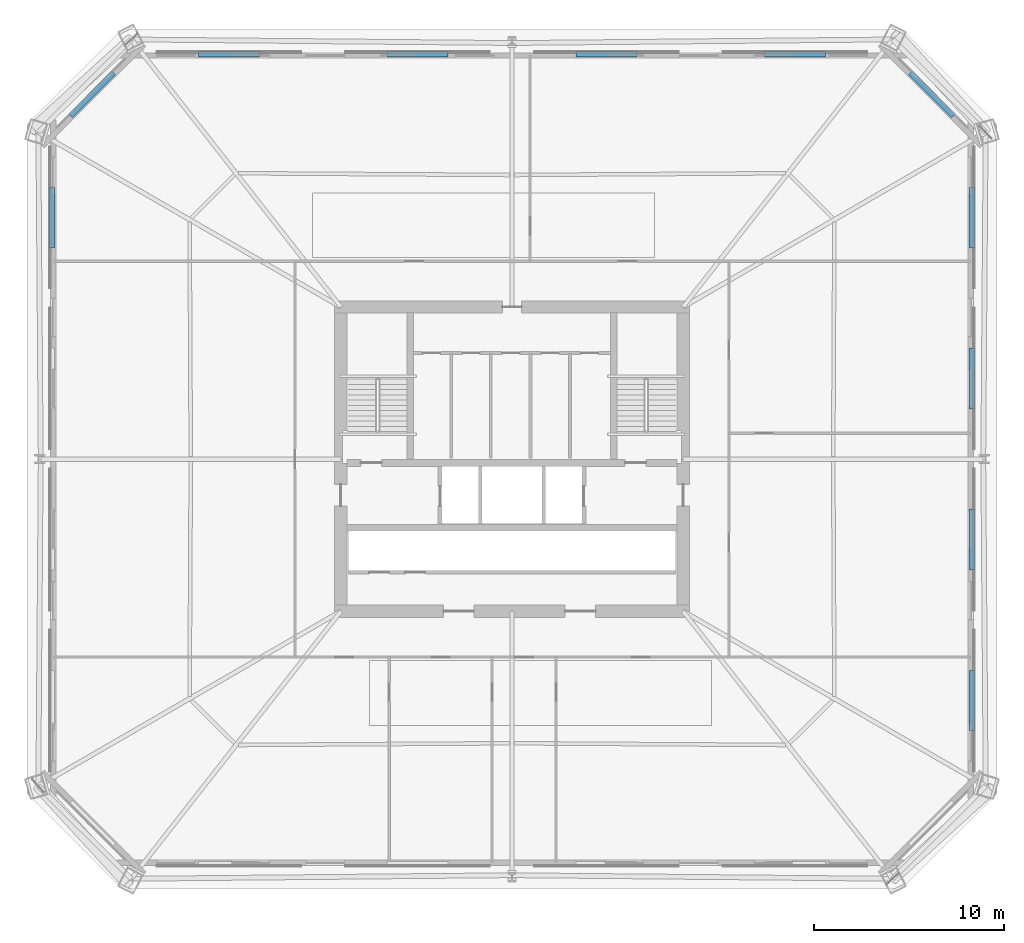
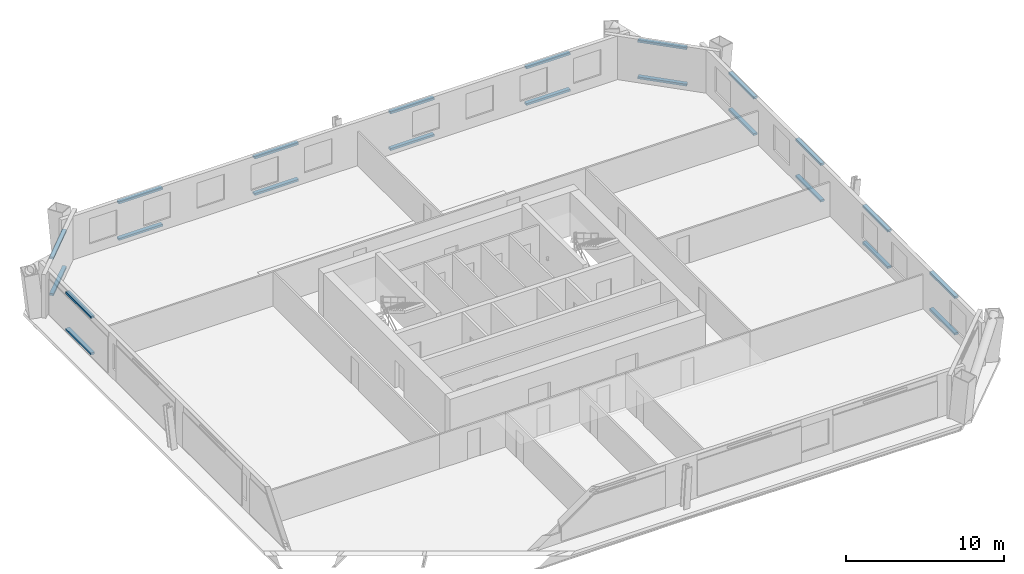
# One storey, part 7 of 10: 22 discrete accessories.
"""IFC4 building model written with IfcOpenShell, lengths in metres."""

from ifc_helpers import new_model, si_unit, direction, frame, origin, origin_2d, place, context, subcontext, project, spatial, rectangle, extrude, material, type_object, element, save


model = new_model("IFC4")

# Units and contexts
model_context = context("Model", 3, precision=1e-05, world=origin(), true_north=direction((0.0, 1.0)))
body_context = subcontext(model_context, "Body", "Model", "MODEL_VIEW")
ifc_project = project(units=[si_unit("LENGTHUNIT", "METRE"), si_unit("AREAUNIT", "SQUARE_METRE"), si_unit("VOLUMEUNIT", "CUBIC_METRE"), si_unit("PLANEANGLEUNIT", "RADIAN"), si_unit("MASSUNIT", "GRAM", prefix="KILO")], contexts=[model_context])

# Site, building, storey
site_placement = place(None, origin())
site = spatial("IfcSite", under=ifc_project, at=site_placement, CompositionType="ELEMENT")
building_placement = place(site_placement, origin())
building = spatial("IfcBuilding", under=site, at=building_placement, Name="Caelvoria Tower", CompositionType="ELEMENT")
storey_placement = place(building_placement, frame((0.0, 0.0, 56.800048828125)))
storey = spatial("IfcBuildingStorey", under=building, at=storey_placement, Name="L14", CompositionType="ELEMENT", Elevation=56.800048828125)

# Discrete accessories
ifc_material = material(Name="Anodised Bronze Stainless Bracket", Category="bronze")
discrete_accessory_type = type_object("IfcDiscreteAccessoryType", Name="Solar Screen Outrigger Support Bracket", PredefinedType="BRACKET", material=ifc_material)
for number, where, z_axis, x_axis, name in (
    (1, (70.197021484375, 19.294921875, 0.240234375), (0.0, 0.0, 1.0), (0.0, 1.0, 0.0), "Solar Screen Bracket L14-E2-00"),
    (2, (70.197021484375, 19.294921875, 3.06005859375), (0.0, 0.0, 1.0), (0.0, 1.0, 0.0), "Upper Screen Band Bracket L14-E2-00"),
    (3, (70.197021484375, 27.764892578125, 0.240234375), (0.0, 0.0, 1.0), (0.0, 1.0, 0.0), "Solar Screen Bracket L14-E2-01"),
    (4, (70.197021484375, 27.764892578125, 3.06005859375), (0.0, 0.0, 1.0), (0.0, 1.0, 0.0), "Upper Screen Band Bracket L14-E2-01"),
    (5, (70.197021484375, 36.235107421875, 0.240234375), (0.0, 0.0, 1.0), (0.0, 1.0, 0.0), "Solar Screen Bracket L14-E2-02"),
    (6, (70.197021484375, 36.235107421875, 3.06005859375), (0.0, 0.0, 1.0), (0.0, 1.0, 0.0), "Upper Screen Band Bracket L14-E2-02"),
    (7, (70.197021484375, 44.705078125, 0.240234375), (0.0, 0.0, 1.0), (0.0, 1.0, 0.0), "Solar Screen Bracket L14-E2-03"),
    (8, (70.197021484375, 44.705078125, 3.06005859375), (0.0, 0.0, 1.0), (0.0, 1.0, 0.0), "Upper Screen Band Bracket L14-E2-03"),
    (9, (68.07861328125, 51.1787109375, 0.240234375), (0.0, 0.0, 1.0), (-0.707106781187, 0.707106781187, 0.0), "Solar Screen Bracket L14-E3-00"),
    (10, (68.07861328125, 51.1787109375, 3.06005859375), (0.0, 0.0, 1.0), (-0.707106781187, 0.707106781187, 0.0), "Upper Screen Band Bracket L14-E3-00"),
    (11, (60.8798828125, 53.297119140625, 0.240234375), (0.0, 0.0, 1.0), (-1.0, 0.0, 0.0), "Solar Screen Bracket L14-E4-00"),
    (12, (60.8798828125, 53.297119140625, 3.06005859375), (0.0, 0.0, 1.0), (-1.0, 0.0, 0.0), "Upper Screen Band Bracket L14-E4-00"),
    (13, (50.9599609375, 53.297119140625, 0.240234375), (0.0, 0.0, 1.0), (-1.0, 0.0, 0.0), "Solar Screen Bracket L14-E4-01"),
    (14, (50.9599609375, 53.297119140625, 3.06005859375), (0.0, 0.0, 1.0), (-1.0, 0.0, 0.0), "Upper Screen Band Bracket L14-E4-01"),
    (15, (41.0400390625, 53.297119140625, 0.240234375), (0.0, 0.0, 1.0), (-1.0, 0.0, 0.0), "Solar Screen Bracket L14-E4-02"),
    (16, (41.0400390625, 53.297119140625, 3.06005859375), (0.0, 0.0, 1.0), (-1.0, 0.0, 0.0), "Upper Screen Band Bracket L14-E4-02"),
    (17, (31.1201171875, 53.297119140625, 0.240234375), (0.0, 0.0, 1.0), (-1.0, 0.0, 0.0), "Solar Screen Bracket L14-E4-03"),
    (18, (31.1201171875, 53.297119140625, 3.06005859375), (0.0, 0.0, 1.0), (-1.0, 0.0, 0.0), "Upper Screen Band Bracket L14-E4-03"),
    (19, (23.92138671875, 51.1787109375, 0.240234375), (0.0, 0.0, 1.0), (-0.707106781187, -0.707106781187, 0.0), "Solar Screen Bracket L14-E5-00"),
    (20, (23.92138671875, 51.1787109375, 3.06005859375), (0.0, 0.0, 1.0), (-0.707106781187, -0.707106781187, 0.0), "Upper Screen Band Bracket L14-E5-00"),
    (21, (21.802978515625, 44.705078125, 0.240234375), (0.0, 0.0, 1.0), (0.0, -1.0, 0.0), "Solar Screen Bracket L14-E6-00"),
    (22, (21.802978515625, 44.705078125, 3.06005859375), (0.0, 0.0, 1.0), (0.0, -1.0, 0.0), "Upper Screen Band Bracket L14-E6-00"),
):
    element("IfcDiscreteAccessory", number, at=place(storey_placement, frame(where, z_axis=z_axis, x_axis=x_axis)), inside=storey, type_object=discrete_accessory_type, Name=name, PredefinedType="BRACKET", context=body_context, shape_type="SweptSolid", body=[
        extrude(rectangle(XDim=3.199951171875, YDim=0.280029296875, at=origin_2d()), origin(), (0.0, 0.0, 1.0), 0.159912109375),
    ])

save(model, "model.ifc")
